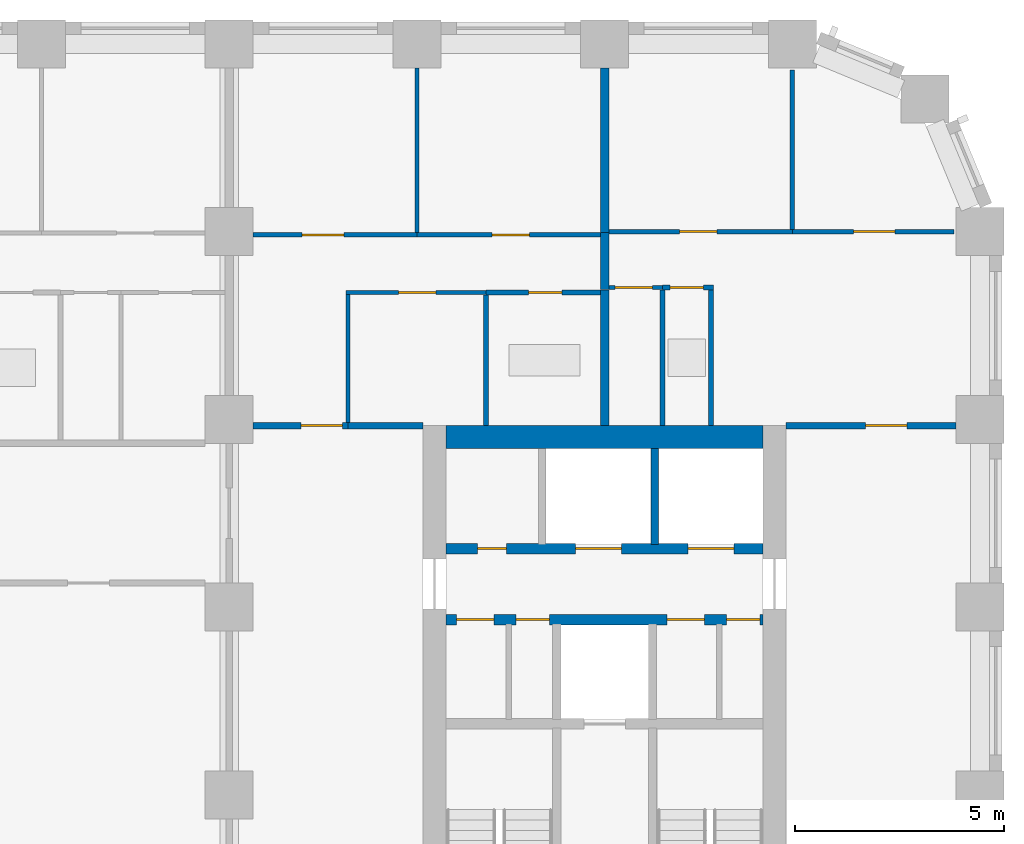
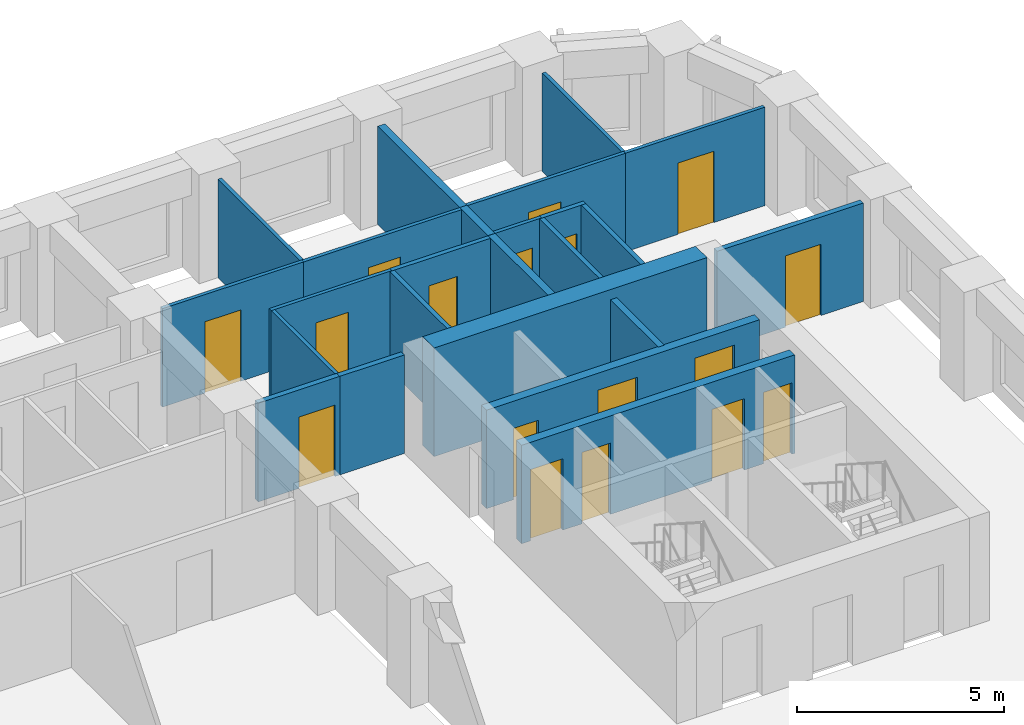
# One storey, part 9 of 13: 24 walls, 17 doors, 17 openings.
"""IFC4 building model written with IfcOpenShell, lengths in metres."""

from ifc_helpers import new_model, si_unit, direction, frame, frame_2d, origin, place, context, subcontext, project, spatial, rectangle, extrude, material, layer, layer_set, type_object, element, fill, save


model = new_model("IFC4")

# Units and contexts
model_context = context("Model", 3, precision=1e-05, world=origin(), true_north=direction((0.0, 1.0)))
body_context = subcontext(model_context, "Body", "Model", "MODEL_VIEW")
ifc_project = project(units=[si_unit("LENGTHUNIT", "METRE"), si_unit("AREAUNIT", "SQUARE_METRE"), si_unit("VOLUMEUNIT", "CUBIC_METRE"), si_unit("PLANEANGLEUNIT", "RADIAN"), si_unit("MASSUNIT", "GRAM", prefix="KILO")], contexts=[model_context])

# Site, building, storey
site_placement = place(None, origin())
site = spatial("IfcSite", under=ifc_project, at=site_placement, CompositionType="ELEMENT")
building_placement = place(site_placement, origin())
building = spatial("IfcBuilding", under=site, at=building_placement, Name="Girih Gate Residences", CompositionType="ELEMENT")
storey_placement = place(building_placement, frame((0.0, 0.0, 83.199951171875)))
storey = spatial("IfcBuildingStorey", under=building, at=storey_placement, Name="L22", CompositionType="ELEMENT", Elevation=83.199951171875)

# Wall, opening, door
ifc_material_1 = material(Name="Gypsum board on steel studs", Category="steel")
ifc_layer_1 = layer(ifc_material_1, 0.14990234375)
ifc_layer_set_1 = layer_set([ifc_layer_1], Name="Compartment wall 150 mm")
wall_type_1 = type_object("IfcWallType", Name="Compartment wall 150 mm", PredefinedType="PARTITIONING", material=ifc_layer_set_1)
wall_1_placement = place(storey_placement, frame((44.85009765625, 40.35009765625, 0.0), z_axis=(0.0, 0.0, 1.0), x_axis=(1.0, 0.0, 0.0)))
wall_1 = element("IfcWall", 1, at=wall_1_placement, inside=storey, type_object=wall_type_1, Name="L22 partition", PredefinedType="PARTITIONING", context=body_context, shape_type="SweptSolid", body=[
    extrude(rectangle(XDim=4.074951171875, YDim=0.14990234375, at=frame_2d((2.03759765625, 0.0))), origin(), (0.0, 0.0, 1.0), 2.900146484375),
])
opening_1_placement = place(wall_1_placement, frame((1.89990234375, 0.0, 0.0)))
opening_1 = element("IfcOpeningElement", 2, at=opening_1_placement, cuts=wall_1, Name="Opening A22-034", PredefinedType="OPENING", context=body_context, shape_type="SweptSolid", body=[
    extrude(rectangle(XDim=1.0, YDim=2.10009765625, at=frame_2d((0.5, 1.050048828125))), frame((0.0, 0.0849609375, 0.0), z_axis=(0.0, -1.0, 0.0), x_axis=(1.0, 0.0, 0.0)), (0.0, 0.0, 1.0), 0.169921875),
])
ifc_material_2 = material(Name="Timber, fire-rated core", Category="wood")
door_type_1 = type_object("IfcDoorType", Name="Flat entrance door 1000x2100 FD30S", OperationType="NOTDEFINED", PredefinedType="DOOR", material=ifc_material_2)
door_1_placement = place(opening_1_placement, origin())
door_1 = element("IfcDoor", 3, at=door_1_placement, inside=storey, type_object=door_type_1, Name="Door A22-034", OperationType="SINGLE_SWING_RIGHT", OverallHeight=2.10009765625, OverallWidth=1.0, PredefinedType="DOOR", context=body_context, shape_type="SweptSolid", body=[
    extrude(rectangle(XDim=1.0, YDim=2.10009765625, at=frame_2d((0.5, 1.050048828125))), frame((0.0, 0.02490234375, 0.0), z_axis=(0.0, -1.0, 0.0), x_axis=(1.0, 0.0, 0.0)), (0.0, 0.0, 1.0), 0.050048828125),
])
fill(opening_1, door_1)

wall_2_placement = place(storey_placement, frame((32.074951171875, 40.35009765625, 0.0), z_axis=(0.0, 0.0, 1.0), x_axis=(1.0, 0.0, 0.0)))
wall_2 = element("IfcWall", 4, at=wall_2_placement, inside=storey, type_object=wall_type_1, Name="L22 partition", PredefinedType="PARTITIONING", context=body_context, shape_type="SweptSolid", body=[
    extrude(rectangle(XDim=2.275146484375, YDim=0.14990234375, at=frame_2d((1.1376953125, 0.0))), origin(), (0.0, 0.0, 1.0), 2.900146484375),
])
opening_2_placement = place(wall_2_placement, frame((1.14501953125, 0.0, 0.0)))
opening_2 = element("IfcOpeningElement", 5, at=opening_2_placement, cuts=wall_2, Name="Opening A22-039", PredefinedType="OPENING", context=body_context, shape_type="SweptSolid", body=[
    extrude(rectangle(XDim=1.0, YDim=2.10009765625, at=frame_2d((0.5, 1.050048828125))), frame((0.0, 0.0849609375, 0.0), z_axis=(0.0, -1.0, 0.0), x_axis=(1.0, 0.0, 0.0)), (0.0, 0.0, 1.0), 0.169921875),
])
door_2_placement = place(opening_2_placement, origin())
door_2 = element("IfcDoor", 6, at=door_2_placement, inside=storey, type_object=door_type_1, Name="Door A22-039", OperationType="SINGLE_SWING_RIGHT", OverallHeight=2.10009765625, OverallWidth=1.0, PredefinedType="DOOR", context=body_context, shape_type="SweptSolid", body=[
    extrude(rectangle(XDim=1.0, YDim=2.10009765625, at=frame_2d((0.5, 1.050048828125))), frame((0.0, 0.02490234375, 0.0), z_axis=(0.0, -1.0, 0.0), x_axis=(1.0, 0.0, 0.0)), (0.0, 0.0, 1.0), 0.050048828125),
])
fill(opening_2, door_2)

# Walls
wall_3_placement = place(storey_placement, frame((34.35009765625, 40.35009765625, 0.0), z_axis=(0.0, 0.0, 1.0), x_axis=(1.0, 0.0, 0.0)))
element("IfcWall", 7, at=wall_3_placement, inside=storey, type_object=wall_type_1, Name="L22 partition", PredefinedType="PARTITIONING", context=body_context, shape_type="SweptSolid", body=[
    extrude(rectangle(XDim=1.7998046875, YDim=0.14990234375, at=frame_2d((0.89990234375, 0.0))), origin(), (0.0, 0.0, 1.0), 2.900146484375),
])
ifc_material_3 = material(Name="Concrete C60/75", Category="concrete")
ifc_layer_2 = layer(ifc_material_3, 0.550048828125)
ifc_layer_set_2 = layer_set([ifc_layer_2], Name="Core wall RC 550 Concrete C60/75")
wall_type_2 = type_object("IfcWallType", Name="Core wall RC 550 Concrete C60/75", PredefinedType="SOLIDWALL", material=ifc_layer_set_2)
wall_4_placement = place(storey_placement, frame((36.699951171875, 40.074951171875, 0.0), z_axis=(0.0, 0.0, 1.0), x_axis=(1.0, 0.0, 0.0)))
element("IfcWall", 8, at=wall_4_placement, inside=storey, type_object=wall_type_2, Name="Core wall E-N L22", PredefinedType="SOLIDWALL", context=body_context, shape_type="SweptSolid", body=[
    extrude(rectangle(XDim=7.60009765625, YDim=0.550048828125, at=frame_2d((3.800048828125, 0.0))), origin(), (0.0, 0.0, 1.0), 3.199951171875),
])

# Wall, openings, doors
ifc_material_4 = material(Name="Concrete C40/50", Category="concrete")
ifc_layer_3 = layer(ifc_material_4, 0.25)
ifc_layer_set_3 = layer_set([ifc_layer_3], Name="Lift shaft wall 250")
wall_type_3 = type_object("IfcWallType", Name="Lift shaft wall 250", PredefinedType="SOLIDWALL", material=ifc_layer_set_3)
wall_5_placement = place(storey_placement, frame((36.699951171875, 35.699951171875, 0.0), z_axis=(0.0, 0.0, 1.0), x_axis=(1.0, 0.0, 0.0)))
wall_5 = element("IfcWall", 9, at=wall_5_placement, inside=storey, type_object=wall_type_3, Name="L22 E core wall H2", PredefinedType="SOLIDWALL", context=body_context, shape_type="SweptSolid", body=[
    extrude(rectangle(XDim=7.60009765625, YDim=0.25, at=frame_2d((3.800048828125, 0.0))), origin(), (0.0, 0.0, 1.0), 2.900146484375),
])
opening_3_placement = place(wall_5_placement, frame((6.72509765625, 0.0, 0.0)))
opening_3 = element("IfcOpeningElement", 10, at=opening_3_placement, cuts=wall_5, Name="Opening D-L22-E-007", PredefinedType="OPENING", context=body_context, shape_type="SweptSolid", body=[
    extrude(rectangle(XDim=0.800048828125, YDim=2.10009765625, at=frame_2d((0.39990234375, 1.050048828125))), frame((0.0, 0.135009765625, 0.0), z_axis=(0.0, -1.0, 0.0), x_axis=(1.0, 0.0, 0.0)), (0.0, 0.0, 1.0), 0.27001953125),
])
opening_4_placement = place(wall_5_placement, frame((5.300048828125, 0.0, 0.0)))
opening_4 = element("IfcOpeningElement", 11, at=opening_4_placement, cuts=wall_5, Name="Opening D-L22-E-008", PredefinedType="OPENING", context=body_context, shape_type="SweptSolid", body=[
    extrude(rectangle(XDim=0.89990234375, YDim=2.10009765625, at=frame_2d((0.449951171875, 1.050048828125))), frame((0.0, 0.135009765625, 0.0), z_axis=(0.0, -1.0, 0.0), x_axis=(1.0, 0.0, 0.0)), (0.0, 0.0, 1.0), 0.27001953125),
])
opening_5_placement = place(wall_5_placement, frame((1.675048828125, 0.0, 0.0)))
opening_5 = element("IfcOpeningElement", 12, at=opening_5_placement, cuts=wall_5, Name="Opening D-L22-E-009", PredefinedType="OPENING", context=body_context, shape_type="SweptSolid", body=[
    extrude(rectangle(XDim=0.800048828125, YDim=2.10009765625, at=frame_2d((0.39990234375, 1.050048828125))), frame((0.0, 0.135009765625, 0.0), z_axis=(0.0, -1.0, 0.0), x_axis=(1.0, 0.0, 0.0)), (0.0, 0.0, 1.0), 0.27001953125),
])
opening_6_placement = place(wall_5_placement, frame((0.25, 0.0, 0.0)))
opening_6 = element("IfcOpeningElement", 13, at=opening_6_placement, cuts=wall_5, Name="Opening D-L22-E-010", PredefinedType="OPENING", context=body_context, shape_type="SweptSolid", body=[
    extrude(rectangle(XDim=0.89990234375, YDim=2.10009765625, at=frame_2d((0.449951171875, 1.050048828125))), frame((0.0, 0.135009765625, 0.0), z_axis=(0.0, -1.0, 0.0), x_axis=(1.0, 0.0, 0.0)), (0.0, 0.0, 1.0), 0.27001953125),
])
ifc_material_5 = material(Name="Painted steel, fire-resisting", Category="steel")
door_type_2 = type_object("IfcDoorType", Name="Fire door 800x2100", OperationType="SINGLE_SWING_LEFT", PredefinedType="DOOR", material=ifc_material_5)
door_3_placement = place(opening_3_placement, origin())
door_3 = element("IfcDoor", 14, at=door_3_placement, inside=storey, type_object=door_type_2, Name="L22 E pantry door", OperationType="SINGLE_SWING_LEFT", OverallHeight=2.10009765625, OverallWidth=0.800048828125, PredefinedType="DOOR", context=body_context, shape_type="SweptSolid", body=[
    extrude(rectangle(XDim=0.800048828125, YDim=2.10009765625, at=frame_2d((0.39990234375, 1.050048828125))), frame((0.0, 0.02490234375, 0.0), z_axis=(0.0, -1.0, 0.0), x_axis=(1.0, 0.0, 0.0)), (0.0, 0.0, 1.0), 0.050048828125),
])
fill(opening_3, door_3)
door_4_placement = place(opening_5_placement, origin())
door_4 = element("IfcDoor", 15, at=door_4_placement, inside=storey, type_object=door_type_2, Name="L22 E comms room door", OperationType="SINGLE_SWING_LEFT", OverallHeight=2.10009765625, OverallWidth=0.800048828125, PredefinedType="DOOR", context=body_context, shape_type="SweptSolid", body=[
    extrude(rectangle(XDim=0.800048828125, YDim=2.10009765625, at=frame_2d((0.39990234375, 1.050048828125))), frame((0.0, 0.02490234375, 0.0), z_axis=(0.0, -1.0, 0.0), x_axis=(1.0, 0.0, 0.0)), (0.0, 0.0, 1.0), 0.050048828125),
])
fill(opening_5, door_4)
door_type_3 = type_object("IfcDoorType", Name="Fire door 900x2100", OperationType="SINGLE_SWING_LEFT", PredefinedType="DOOR", material=ifc_material_5)
door_5_placement = place(opening_4_placement, origin())
door_5 = element("IfcDoor", 16, at=door_5_placement, inside=storey, type_object=door_type_3, Name="L22 E housekeeping store door", OperationType="SINGLE_SWING_LEFT", OverallHeight=2.10009765625, OverallWidth=0.89990234375, PredefinedType="DOOR", context=body_context, shape_type="SweptSolid", body=[
    extrude(rectangle(XDim=0.89990234375, YDim=2.10009765625, at=frame_2d((0.449951171875, 1.050048828125))), frame((0.0, 0.02490234375, 0.0), z_axis=(0.0, -1.0, 0.0), x_axis=(1.0, 0.0, 0.0)), (0.0, 0.0, 1.0), 0.050048828125),
])
fill(opening_4, door_5)
door_6_placement = place(opening_6_placement, origin())
door_6 = element("IfcDoor", 17, at=door_6_placement, inside=storey, type_object=door_type_3, Name="L22 E it room door", OperationType="SINGLE_SWING_LEFT", OverallHeight=2.10009765625, OverallWidth=0.89990234375, PredefinedType="DOOR", context=body_context, shape_type="SweptSolid", body=[
    extrude(rectangle(XDim=0.89990234375, YDim=2.10009765625, at=frame_2d((0.449951171875, 1.050048828125))), frame((0.0, 0.02490234375, 0.0), z_axis=(0.0, -1.0, 0.0), x_axis=(1.0, 0.0, 0.0)), (0.0, 0.0, 1.0), 0.050048828125),
])
fill(opening_6, door_6)

wall_6_placement = place(storey_placement, frame((36.699951171875, 37.39990234375, 0.0), z_axis=(0.0, 0.0, 1.0), x_axis=(1.0, 0.0, 0.0)))
wall_6 = element("IfcWall", 18, at=wall_6_placement, inside=storey, type_object=wall_type_3, Name="L22 E core wall H3", PredefinedType="SOLIDWALL", context=body_context, shape_type="SweptSolid", body=[
    extrude(rectangle(XDim=7.60009765625, YDim=0.25, at=frame_2d((3.800048828125, 0.0))), origin(), (0.0, 0.0, 1.0), 2.900146484375),
])
opening_7_placement = place(wall_6_placement, frame((5.800048828125, 0.0, 0.0)))
opening_7 = element("IfcOpeningElement", 19, at=opening_7_placement, cuts=wall_6, Name="Opening D-L22-E-003", PredefinedType="OPENING", context=body_context, shape_type="SweptSolid", body=[
    extrude(rectangle(XDim=1.10009765625, YDim=2.39990234375, at=frame_2d((0.550048828125, 1.199951171875))), frame((0.0, 0.135009765625, 0.0), z_axis=(0.0, -1.0, 0.0), x_axis=(1.0, 0.0, 0.0)), (0.0, 0.0, 1.0), 0.27001953125),
])
opening_8_placement = place(wall_6_placement, frame((3.10009765625, 0.0, 0.0)))
opening_8 = element("IfcOpeningElement", 20, at=opening_8_placement, cuts=wall_6, Name="Opening D-L22-E-004", PredefinedType="OPENING", context=body_context, shape_type="SweptSolid", body=[
    extrude(rectangle(XDim=1.10009765625, YDim=2.39990234375, at=frame_2d((0.550048828125, 1.199951171875))), frame((0.0, 0.135009765625, 0.0), z_axis=(0.0, -1.0, 0.0), x_axis=(1.0, 0.0, 0.0)), (0.0, 0.0, 1.0), 0.27001953125),
])
opening_9_placement = place(wall_6_placement, frame((0.75, 0.0, 0.0)))
opening_9 = element("IfcOpeningElement", 21, at=opening_9_placement, cuts=wall_6, Name="Opening D-L22-E-006", PredefinedType="OPENING", context=body_context, shape_type="SweptSolid", body=[
    extrude(rectangle(XDim=0.699951171875, YDim=2.10009765625, at=frame_2d((0.35009765625, 1.050048828125))), frame((0.0, 0.135009765625, 0.0), z_axis=(0.0, -1.0, 0.0), x_axis=(1.0, 0.0, 0.0)), (0.0, 0.0, 1.0), 0.27001953125),
])
ifc_material_6 = material(Name="Stainless steel", Category="steel")
door_type_4 = type_object("IfcDoorType", Name="Lift landing door 1100x2400", OperationType="SLIDING_TO_LEFT", PredefinedType="DOOR", material=ifc_material_6)
door_7_placement = place(opening_7_placement, origin())
door_7 = element("IfcDoor", 22, at=door_7_placement, inside=storey, type_object=door_type_4, Name="L22 lift LR-E1 landing door", OperationType="SLIDING_TO_LEFT", OverallHeight=2.39990234375, OverallWidth=1.10009765625, PredefinedType="DOOR", context=body_context, shape_type="SweptSolid", body=[
    extrude(rectangle(XDim=1.10009765625, YDim=2.39990234375, at=frame_2d((0.550048828125, 1.199951171875))), frame((0.0, 0.02490234375, 0.0), z_axis=(0.0, -1.0, 0.0), x_axis=(1.0, 0.0, 0.0)), (0.0, 0.0, 1.0), 0.050048828125),
])
fill(opening_7, door_7)
door_8_placement = place(opening_8_placement, origin())
door_8 = element("IfcDoor", 23, at=door_8_placement, inside=storey, type_object=door_type_4, Name="L22 lift LR-E2 landing door", OperationType="SLIDING_TO_LEFT", OverallHeight=2.39990234375, OverallWidth=1.10009765625, PredefinedType="DOOR", context=body_context, shape_type="SweptSolid", body=[
    extrude(rectangle(XDim=1.10009765625, YDim=2.39990234375, at=frame_2d((0.550048828125, 1.199951171875))), frame((0.0, 0.02490234375, 0.0), z_axis=(0.0, -1.0, 0.0), x_axis=(1.0, 0.0, 0.0)), (0.0, 0.0, 1.0), 0.050048828125),
])
fill(opening_8, door_8)
door_type_5 = type_object("IfcDoorType", Name="Riser access door 700x2100", OperationType="SINGLE_SWING_LEFT", PredefinedType="DOOR", material=ifc_material_5)
door_9_placement = place(opening_9_placement, origin())
door_9 = element("IfcDoor", 24, at=door_9_placement, inside=storey, type_object=door_type_5, Name="L22 E riser room door", OperationType="SINGLE_SWING_LEFT", OverallHeight=2.10009765625, OverallWidth=0.699951171875, PredefinedType="DOOR", context=body_context, shape_type="SweptSolid", body=[
    extrude(rectangle(XDim=0.699951171875, YDim=2.10009765625, at=frame_2d((0.35009765625, 1.050048828125))), frame((0.0, 0.02490234375, 0.0), z_axis=(0.0, -1.0, 0.0), x_axis=(1.0, 0.0, 0.0)), (0.0, 0.0, 1.0), 0.050048828125),
])
fill(opening_9, door_9)

# Wall, opening, door
ifc_layer_4 = layer(ifc_material_1, 0.10009765625)
ifc_layer_set_4 = layer_set([ifc_layer_4], Name="Partition 100 mm")
wall_type_4 = type_object("IfcWallType", Name="Partition 100 mm", PredefinedType="PARTITIONING", material=ifc_layer_set_4)
wall_7_placement = place(storey_placement, frame((40.60009765625, 45.0, 0.0), z_axis=(0.0, 0.0, 1.0), x_axis=(1.0, 0.0, 0.0)))
wall_7 = element("IfcWall", 25, at=wall_7_placement, inside=storey, type_object=wall_type_4, Name="L22 partition", PredefinedType="PARTITIONING", context=body_context, shape_type="SweptSolid", body=[
    extrude(rectangle(XDim=4.39990234375, YDim=0.10009765625, at=frame_2d((2.199951171875, 0.0))), origin(), (0.0, 0.0, 1.0), 2.900146484375),
])
opening_10_placement = place(wall_7_placement, frame((1.699951171875, 0.0, 0.0)))
opening_10 = element("IfcOpeningElement", 26, at=opening_10_placement, cuts=wall_7, Name="Opening A22-031", PredefinedType="OPENING", context=body_context, shape_type="SweptSolid", body=[
    extrude(rectangle(XDim=0.89990234375, YDim=2.10009765625, at=frame_2d((0.449951171875, 1.050048828125))), frame((0.0, 0.06005859375, 0.0), z_axis=(0.0, -1.0, 0.0), x_axis=(1.0, 0.0, 0.0)), (0.0, 0.0, 1.0), 0.1201171875),
])
ifc_material_7 = material(Name="Timber", Category="wood")
door_type_6 = type_object("IfcDoorType", Name="Bedroom door 900x2100", OperationType="NOTDEFINED", PredefinedType="DOOR", material=ifc_material_7)
door_10_placement = place(opening_10_placement, origin())
door_10 = element("IfcDoor", 27, at=door_10_placement, inside=storey, type_object=door_type_6, Name="Door A22-031", OperationType="SINGLE_SWING_LEFT", OverallHeight=2.10009765625, OverallWidth=0.89990234375, PredefinedType="DOOR", context=body_context, shape_type="SweptSolid", body=[
    extrude(rectangle(XDim=0.89990234375, YDim=2.10009765625, at=frame_2d((0.449951171875, 1.050048828125))), frame((0.0, 0.02490234375, 0.0), z_axis=(0.0, -1.0, 0.0), x_axis=(1.0, 0.0, 0.0)), (0.0, 0.0, 1.0), 0.050048828125),
])
fill(opening_10, door_10)

# Wall
wall_8_placement = place(storey_placement, frame((45.0, 45.050048828125, 0.0), z_axis=(0.0, 0.0, 1.0), x_axis=(0.0, 1.0, 0.0)))
element("IfcWall", 28, at=wall_8_placement, inside=storey, type_object=wall_type_4, Name="L22 partition", PredefinedType="PARTITIONING", context=body_context, shape_type="SweptSolid", body=[
    extrude(rectangle(XDim=3.82763671875, YDim=0.10009765625, at=frame_2d((1.913818359375, 0.0))), origin(), (0.0, 0.0, 1.0), 2.900146484375),
])

# Wall, opening, door
wall_9_placement = place(storey_placement, frame((41.890869140625, 43.659912109375, 0.0), z_axis=(0.0, 0.0, 1.0), x_axis=(-1.0, 0.0, 0.0)))
wall_9 = element("IfcWall", 29, at=wall_9_placement, inside=storey, type_object=wall_type_4, Name="L22 partition", PredefinedType="PARTITIONING", context=body_context, shape_type="SweptSolid", body=[
    extrude(rectangle(XDim=1.290771484375, YDim=0.10009765625, at=frame_2d((0.6455078125, 0.0))), origin(), (0.0, 0.0, 1.0), 2.900146484375),
])
opening_11_placement = place(wall_9_placement, frame((0.24560546875, 0.0, 0.0)))
opening_11 = element("IfcOpeningElement", 30, at=opening_11_placement, cuts=wall_9, Name="Opening A22-032", PredefinedType="OPENING", context=body_context, shape_type="SweptSolid", body=[
    extrude(rectangle(XDim=0.89990234375, YDim=2.10009765625, at=frame_2d((0.449951171875, 1.050048828125))), frame((0.0, 0.06005859375, 0.0), z_axis=(0.0, -1.0, 0.0), x_axis=(1.0, 0.0, 0.0)), (0.0, 0.0, 1.0), 0.1201171875),
])
door_type_7 = type_object("IfcDoorType", Name="Kitchen door 900x2100", OperationType="NOTDEFINED", PredefinedType="DOOR", material=ifc_material_7)
door_11_placement = place(opening_11_placement, origin())
door_11 = element("IfcDoor", 31, at=door_11_placement, inside=storey, type_object=door_type_7, Name="Door A22-032", OperationType="SINGLE_SWING_RIGHT", OverallHeight=2.10009765625, OverallWidth=0.89990234375, PredefinedType="DOOR", context=body_context, shape_type="SweptSolid", body=[
    extrude(rectangle(XDim=0.89990234375, YDim=2.10009765625, at=frame_2d((0.449951171875, 1.050048828125))), frame((0.0, 0.02490234375, 0.0), z_axis=(0.0, -1.0, 0.0), x_axis=(1.0, 0.0, 0.0)), (0.0, 0.0, 1.0), 0.050048828125),
])
fill(opening_11, door_11)

wall_10_placement = place(storey_placement, frame((45.0, 45.0, 0.0), z_axis=(0.0, 0.0, 1.0), x_axis=(1.0, 0.0, 0.0)))
wall_10 = element("IfcWall", 32, at=wall_10_placement, inside=storey, type_object=wall_type_4, Name="L22 partition", PredefinedType="PARTITIONING", context=body_context, shape_type="SweptSolid", body=[
    extrude(rectangle(XDim=3.877685546875, YDim=0.10009765625, at=frame_2d((1.93896484375, 0.0))), origin(), (0.0, 0.0, 1.0), 2.900146484375),
])
opening_12_placement = place(wall_10_placement, frame((1.46240234375, 0.0, 0.0)))
opening_12 = element("IfcOpeningElement", 33, at=opening_12_placement, cuts=wall_10, Name="Opening A22-033", PredefinedType="OPENING", context=body_context, shape_type="SweptSolid", body=[
    extrude(rectangle(XDim=1.0, YDim=2.10009765625, at=frame_2d((0.5, 1.050048828125))), frame((0.0, 0.06005859375, 0.0), z_axis=(0.0, -1.0, 0.0), x_axis=(1.0, 0.0, 0.0)), (0.0, 0.0, 1.0), 0.1201171875),
])
door_type_8 = type_object("IfcDoorType", Name="Living room door 1000x2100", OperationType="NOTDEFINED", PredefinedType="DOOR", material=ifc_material_7)
door_12_placement = place(opening_12_placement, origin())
door_12 = element("IfcDoor", 34, at=door_12_placement, inside=storey, type_object=door_type_8, Name="Door A22-033", OperationType="SINGLE_SWING_RIGHT", OverallHeight=2.10009765625, OverallWidth=1.0, PredefinedType="DOOR", context=body_context, shape_type="SweptSolid", body=[
    extrude(rectangle(XDim=1.0, YDim=2.10009765625, at=frame_2d((0.5, 1.050048828125))), frame((0.0, 0.02490234375, 0.0), z_axis=(0.0, -1.0, 0.0), x_axis=(1.0, 0.0, 0.0)), (0.0, 0.0, 1.0), 0.050048828125),
])
fill(opening_12, door_12)

wall_11_placement = place(storey_placement, frame((36.0, 44.925048828125, 0.0), z_axis=(0.0, 0.0, 1.0), x_axis=(1.0, 0.0, 0.0)))
wall_11 = element("IfcWall", 35, at=wall_11_placement, inside=storey, type_object=wall_type_4, Name="L22 partition", PredefinedType="PARTITIONING", context=body_context, shape_type="SweptSolid", body=[
    extrude(rectangle(XDim=4.39990234375, YDim=0.10009765625, at=frame_2d((2.199951171875, 0.0))), origin(), (0.0, 0.0, 1.0), 2.900146484375),
])
opening_13_placement = place(wall_11_placement, frame((1.800048828125, 0.0, 0.0)))
opening_13 = element("IfcOpeningElement", 36, at=opening_13_placement, cuts=wall_11, Name="Opening A22-036", PredefinedType="OPENING", context=body_context, shape_type="SweptSolid", body=[
    extrude(rectangle(XDim=0.89990234375, YDim=2.10009765625, at=frame_2d((0.449951171875, 1.050048828125))), frame((0.0, 0.06005859375, 0.0), z_axis=(0.0, -1.0, 0.0), x_axis=(1.0, 0.0, 0.0)), (0.0, 0.0, 1.0), 0.1201171875),
])
door_13_placement = place(opening_13_placement, origin())
door_13 = element("IfcDoor", 37, at=door_13_placement, inside=storey, type_object=door_type_6, Name="Door A22-036", OperationType="SINGLE_SWING_RIGHT", OverallHeight=2.10009765625, OverallWidth=0.89990234375, PredefinedType="DOOR", context=body_context, shape_type="SweptSolid", body=[
    extrude(rectangle(XDim=0.89990234375, YDim=2.10009765625, at=frame_2d((0.449951171875, 1.050048828125))), frame((0.0, 0.02490234375, 0.0), z_axis=(0.0, -1.0, 0.0), x_axis=(1.0, 0.0, 0.0)), (0.0, 0.0, 1.0), 0.050048828125),
])
fill(opening_13, door_13)

# Wall
wall_12_placement = place(storey_placement, frame((36.0, 44.97509765625, 0.0), z_axis=(0.0, 0.0, 1.0), x_axis=(0.0, 1.0, 0.0)))
element("IfcWall", 38, at=wall_12_placement, inside=storey, type_object=wall_type_4, Name="L22 partition", PredefinedType="PARTITIONING", context=body_context, shape_type="SweptSolid", body=[
    extrude(rectangle(XDim=3.949951171875, YDim=0.10009765625, at=frame_2d((1.97509765625, 0.0))), origin(), (0.0, 0.0, 1.0), 2.900146484375),
])

# Wall, opening, door
wall_13_placement = place(storey_placement, frame((37.65673828125, 43.544921875, 0.0), z_axis=(0.0, 0.0, 1.0), x_axis=(-1.0, 0.0, 0.0)))
wall_13 = element("IfcWall", 39, at=wall_13_placement, inside=storey, type_object=wall_type_4, Name="L22 partition", PredefinedType="PARTITIONING", context=body_context, shape_type="SweptSolid", body=[
    extrude(rectangle(XDim=3.356689453125, YDim=0.10009765625, at=frame_2d((1.67822265625, 0.0))), origin(), (0.0, 0.0, 1.0), 2.900146484375),
])
opening_14_placement = place(wall_13_placement, frame((1.203369140625, 0.0, 0.0)))
opening_14 = element("IfcOpeningElement", 40, at=opening_14_placement, cuts=wall_13, Name="Opening A22-037", PredefinedType="OPENING", context=body_context, shape_type="SweptSolid", body=[
    extrude(rectangle(XDim=0.89990234375, YDim=2.10009765625, at=frame_2d((0.449951171875, 1.050048828125))), frame((0.0, 0.06005859375, 0.0), z_axis=(0.0, -1.0, 0.0), x_axis=(1.0, 0.0, 0.0)), (0.0, 0.0, 1.0), 0.1201171875),
])
door_14_placement = place(opening_14_placement, origin())
door_14 = element("IfcDoor", 41, at=door_14_placement, inside=storey, type_object=door_type_7, Name="Door A22-037", OperationType="SINGLE_SWING_LEFT", OverallHeight=2.10009765625, OverallWidth=0.89990234375, PredefinedType="DOOR", context=body_context, shape_type="SweptSolid", body=[
    extrude(rectangle(XDim=0.89990234375, YDim=2.10009765625, at=frame_2d((0.449951171875, 1.050048828125))), frame((0.0, 0.02490234375, 0.0), z_axis=(0.0, -1.0, 0.0), x_axis=(1.0, 0.0, 0.0)), (0.0, 0.0, 1.0), 0.050048828125),
])
fill(opening_14, door_14)

# Wall
wall_14_placement = place(storey_placement, frame((34.35009765625, 40.425048828125, 0.0), z_axis=(0.0, 0.0, 1.0), x_axis=(0.0, 1.0, 0.0)))
element("IfcWall", 42, at=wall_14_placement, inside=storey, type_object=wall_type_4, Name="L22 partition", PredefinedType="PARTITIONING", context=body_context, shape_type="SweptSolid", body=[
    extrude(rectangle(XDim=3.070068359375, YDim=0.10009765625, at=frame_2d((1.53515625, 0.0))), origin(), (0.0, 0.0, 1.0), 2.900146484375),
])

# Wall, opening, door
wall_15_placement = place(storey_placement, frame((32.074951171875, 44.925048828125, 0.0), z_axis=(0.0, 0.0, 1.0), x_axis=(1.0, 0.0, 0.0)))
wall_15 = element("IfcWall", 43, at=wall_15_placement, inside=storey, type_object=wall_type_4, Name="L22 partition", PredefinedType="PARTITIONING", context=body_context, shape_type="SweptSolid", body=[
    extrude(rectangle(XDim=3.925048828125, YDim=0.10009765625, at=frame_2d((1.96240234375, 0.0))), origin(), (0.0, 0.0, 1.0), 2.900146484375),
])
opening_15_placement = place(wall_15_placement, frame((1.175048828125, 0.0, 0.0)))
opening_15 = element("IfcOpeningElement", 44, at=opening_15_placement, cuts=wall_15, Name="Opening A22-038", PredefinedType="OPENING", context=body_context, shape_type="SweptSolid", body=[
    extrude(rectangle(XDim=1.0, YDim=2.10009765625, at=frame_2d((0.5, 1.050048828125))), frame((0.0, 0.06005859375, 0.0), z_axis=(0.0, -1.0, 0.0), x_axis=(1.0, 0.0, 0.0)), (0.0, 0.0, 1.0), 0.1201171875),
])
door_15_placement = place(opening_15_placement, origin())
door_15 = element("IfcDoor", 45, at=door_15_placement, inside=storey, type_object=door_type_8, Name="Door A22-038", OperationType="SINGLE_SWING_LEFT", OverallHeight=2.10009765625, OverallWidth=1.0, PredefinedType="DOOR", context=body_context, shape_type="SweptSolid", body=[
    extrude(rectangle(XDim=1.0, YDim=2.10009765625, at=frame_2d((0.5, 1.050048828125))), frame((0.0, 0.02490234375, 0.0), z_axis=(0.0, -1.0, 0.0), x_axis=(1.0, 0.0, 0.0)), (0.0, 0.0, 1.0), 0.050048828125),
])
fill(opening_15, door_15)

# Walls
ifc_layer_5 = layer(ifc_material_1, 0.199951171875)
ifc_layer_set_5 = layer_set([ifc_layer_5], Name="Party wall 200 mm")
wall_type_5 = type_object("IfcWallType", Name="Party wall 200 mm", PredefinedType="PARTITIONING", material=ifc_layer_set_5)
wall_16_placement = place(storey_placement, frame((40.5, 44.949951171875, 0.0), z_axis=(0.0, 0.0, 1.0), x_axis=(0.0, 1.0, 0.0)))
element("IfcWall", 46, at=wall_16_placement, inside=storey, type_object=wall_type_5, Name="L22 partition", PredefinedType="PARTITIONING", context=body_context, shape_type="SweptSolid", body=[
    extrude(rectangle(XDim=3.97509765625, YDim=0.199951171875, at=frame_2d((1.987548828125, 0.0))), origin(), (0.0, 0.0, 1.0), 2.900146484375),
])
wall_17_placement = place(storey_placement, frame((40.5, 43.610107421875, 0.0), z_axis=(0.0, 0.0, 1.0), x_axis=(0.0, 1.0, 0.0)))
element("IfcWall", 47, at=wall_17_placement, inside=storey, type_object=wall_type_5, Name="L22 partition", PredefinedType="PARTITIONING", context=body_context, shape_type="SweptSolid", body=[
    extrude(rectangle(XDim=1.364990234375, YDim=0.199951171875, at=frame_2d((0.6826171875, 0.0))), origin(), (0.0, 0.0, 1.0), 2.900146484375),
])
wall_18_placement = place(storey_placement, frame((40.5, 40.35009765625, 0.0), z_axis=(0.0, 0.0, 1.0), x_axis=(0.0, 1.0, 0.0)))
element("IfcWall", 48, at=wall_18_placement, inside=storey, type_object=wall_type_5, Name="L22 partition", PredefinedType="PARTITIONING", context=body_context, shape_type="SweptSolid", body=[
    extrude(rectangle(XDim=3.25732421875, YDim=0.199951171875, at=frame_2d((1.628662109375, 0.0))), origin(), (0.0, 0.0, 1.0), 2.900146484375),
])
ifc_layer_6 = layer(ifc_material_4, 0.175048828125)
ifc_layer_set_6 = layer_set([ifc_layer_6], Name="Riser shaft wall 175")
wall_type_6 = type_object("IfcWallType", Name="Riser shaft wall 175", PredefinedType="SOLIDWALL", material=ifc_layer_set_6)
wall_19_placement = place(storey_placement, frame((41.699951171875, 37.5, 0.0), z_axis=(0.0, 0.0, 1.0), x_axis=(0.0, 1.0, 0.0)))
element("IfcWall", 49, at=wall_19_placement, inside=storey, type_object=wall_type_6, Name="L22 E core wall V1c", PredefinedType="SOLIDWALL", context=body_context, shape_type="SweptSolid", body=[
    extrude(rectangle(XDim=2.300048828125, YDim=0.175048828125, at=frame_2d((1.14990234375, 0.0))), origin(), (0.0, 0.0, 1.0), 2.900146484375),
])

# Wall, opening, door
ifc_layer_7 = layer(ifc_material_1, 0.125)
ifc_layer_set_7 = layer_set([ifc_layer_7], Name="Wet room wall 125 mm")
wall_type_7 = type_object("IfcWallType", Name="Wet room wall 125 mm", PredefinedType="PARTITIONING", material=ifc_layer_set_7)
wall_20_placement = place(storey_placement, frame((43.112548828125, 43.659912109375, 0.0), z_axis=(0.0, 0.0, 1.0), x_axis=(-1.0, 0.0, 0.0)))
wall_20 = element("IfcWall", 50, at=wall_20_placement, inside=storey, type_object=wall_type_7, Name="L22 partition", PredefinedType="PARTITIONING", context=body_context, shape_type="SweptSolid", body=[
    extrude(rectangle(XDim=1.2216796875, YDim=0.125, at=frame_2d((0.61083984375, 0.0))), origin(), (0.0, 0.0, 1.0), 2.900146484375),
])
opening_16_placement = place(wall_20_placement, frame((0.241943359375, 0.0, 0.0)))
opening_16 = element("IfcOpeningElement", 51, at=opening_16_placement, cuts=wall_20, Name="Opening A22-030", PredefinedType="OPENING", context=body_context, shape_type="SweptSolid", body=[
    extrude(rectangle(XDim=0.800048828125, YDim=2.10009765625, at=frame_2d((0.39990234375, 1.050048828125))), frame((0.0, 0.072509765625, 0.0), z_axis=(0.0, -1.0, 0.0), x_axis=(1.0, 0.0, 0.0)), (0.0, 0.0, 1.0), 0.14501953125),
])
door_type_9 = type_object("IfcDoorType", Name="Bathroom door 800x2100", OperationType="NOTDEFINED", PredefinedType="DOOR", material=ifc_material_7)
door_16_placement = place(opening_16_placement, origin())
door_16 = element("IfcDoor", 52, at=door_16_placement, inside=storey, type_object=door_type_9, Name="Door A22-030", OperationType="SINGLE_SWING_RIGHT", OverallHeight=2.10009765625, OverallWidth=0.800048828125, PredefinedType="DOOR", context=body_context, shape_type="SweptSolid", body=[
    extrude(rectangle(XDim=0.800048828125, YDim=2.10009765625, at=frame_2d((0.39990234375, 1.050048828125))), frame((0.0, 0.02490234375, 0.0), z_axis=(0.0, -1.0, 0.0), x_axis=(1.0, 0.0, 0.0)), (0.0, 0.0, 1.0), 0.050048828125),
])
fill(opening_16, door_16)

# Walls
for number, where, z_axis, x_axis, name in (
    (53, (43.050048828125, 40.35009765625, 0.0), (0.0, 0.0, 1.0), (0.0, 1.0, 0.0), "L22 partition"),
    (54, (41.89111328125, 40.35009765625, 0.0), (0.0, 0.0, 1.0), (0.0, 1.0, 0.0), "L22 partition"),
):
    element("IfcWall", number, at=place(storey_placement, frame(where, z_axis=z_axis, x_axis=x_axis)), inside=storey, type_object=wall_type_7, Name=name, PredefinedType="PARTITIONING", context=body_context, shape_type="SweptSolid", body=[
        extrude(rectangle(XDim=3.247314453125, YDim=0.125, at=frame_2d((1.62353515625, 0.0))), origin(), (0.0, 0.0, 1.0), 2.900146484375),
    ])

# Wall, opening, door
wall_21_placement = place(storey_placement, frame((40.39990234375, 43.544921875, 0.0), z_axis=(0.0, 0.0, 1.0), x_axis=(-1.0, 0.0, 0.0)))
wall_21 = element("IfcWall", 55, at=wall_21_placement, inside=storey, type_object=wall_type_7, Name="L22 partition", PredefinedType="PARTITIONING", context=body_context, shape_type="SweptSolid", body=[
    extrude(rectangle(XDim=2.7431640625, YDim=0.125, at=frame_2d((1.37158203125, 0.0))), origin(), (0.0, 0.0, 1.0), 2.900146484375),
])
opening_17_placement = place(wall_21_placement, frame((0.921630859375, 0.0, 0.0)))
opening_17 = element("IfcOpeningElement", 56, at=opening_17_placement, cuts=wall_21, Name="Opening A22-035", PredefinedType="OPENING", context=body_context, shape_type="SweptSolid", body=[
    extrude(rectangle(XDim=0.800048828125, YDim=2.10009765625, at=frame_2d((0.39990234375, 1.050048828125))), frame((0.0, 0.072509765625, 0.0), z_axis=(0.0, -1.0, 0.0), x_axis=(1.0, 0.0, 0.0)), (0.0, 0.0, 1.0), 0.14501953125),
])
door_17_placement = place(opening_17_placement, origin())
door_17 = element("IfcDoor", 57, at=door_17_placement, inside=storey, type_object=door_type_9, Name="Door A22-035", OperationType="SINGLE_SWING_LEFT", OverallHeight=2.10009765625, OverallWidth=0.800048828125, PredefinedType="DOOR", context=body_context, shape_type="SweptSolid", body=[
    extrude(rectangle(XDim=0.800048828125, YDim=2.10009765625, at=frame_2d((0.39990234375, 1.050048828125))), frame((0.0, 0.02490234375, 0.0), z_axis=(0.0, -1.0, 0.0), x_axis=(1.0, 0.0, 0.0)), (0.0, 0.0, 1.0), 0.050048828125),
])
fill(opening_17, door_17)

# Wall
wall_22_placement = place(storey_placement, frame((37.656982421875, 40.35009765625, 0.0), z_axis=(0.0, 0.0, 1.0), x_axis=(0.0, 1.0, 0.0)))
element("IfcWall", 58, at=wall_22_placement, inside=storey, type_object=wall_type_7, Name="L22 partition", PredefinedType="PARTITIONING", context=body_context, shape_type="SweptSolid", body=[
    extrude(rectangle(XDim=3.13232421875, YDim=0.125, at=frame_2d((1.566162109375, 0.0))), origin(), (0.0, 0.0, 1.0), 2.900146484375),
])

save(model, "model.ifc")
